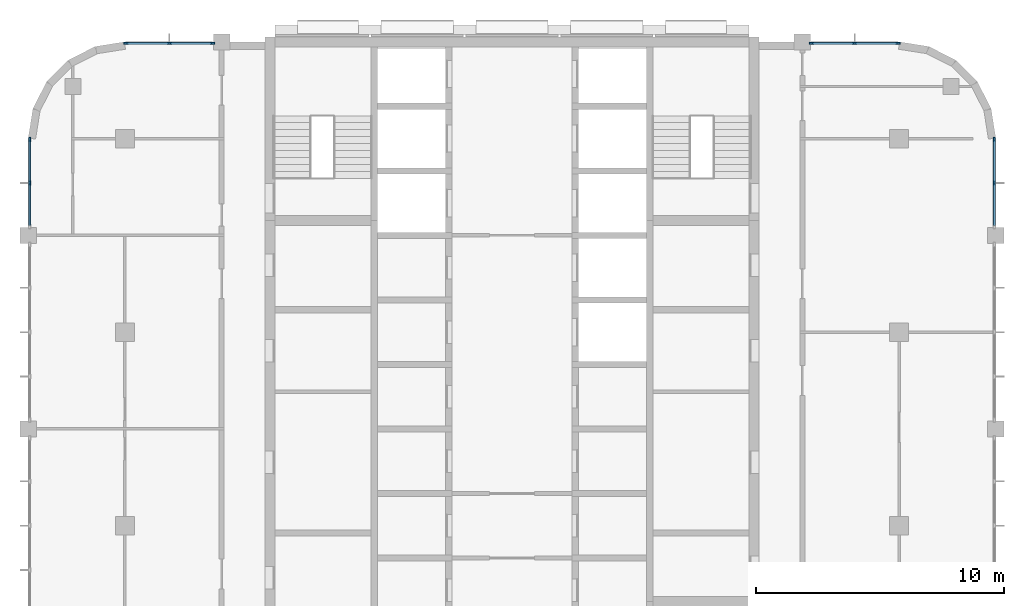
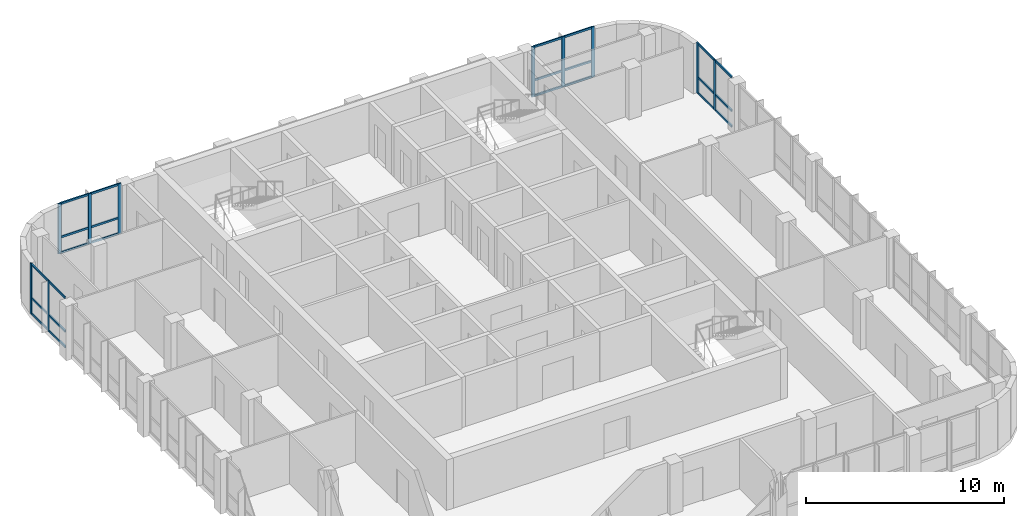
# One storey, part 6 of 17: 34 members, 4 elements without a shape of their own.
"""IFC4 building model written with IfcOpenShell, lengths in metres."""

from ifc_helpers import new_model, si_unit, direction, frame, origin, origin_2d, place, context, subcontext, project, spatial, rectangle, extrude, material, material_profile, profile_set, type_object, element, aggregate, save


model = new_model("IFC4")

# Units and contexts
model_context = context("Model", 3, precision=1e-05, world=origin(), true_north=direction((0.0, 1.0)))
body_context = subcontext(model_context, "Body", "Model", "MODEL_VIEW")
ifc_project = project(units=[si_unit("LENGTHUNIT", "METRE"), si_unit("AREAUNIT", "SQUARE_METRE"), si_unit("VOLUMEUNIT", "CUBIC_METRE"), si_unit("PLANEANGLEUNIT", "RADIAN"), si_unit("MASSUNIT", "GRAM", prefix="KILO")], contexts=[model_context])

# Site, building, storey
site_placement = place(None, origin())
site = spatial("IfcSite", under=ifc_project, at=site_placement, CompositionType="ELEMENT")
building_placement = place(site_placement, origin())
building = spatial("IfcBuilding", under=site, at=building_placement, Name="Ludao Terraces", CompositionType="ELEMENT")
storey_placement = place(building_placement, frame((0.0, 0.0, 263.0)))
storey = spatial("IfcBuildingStorey", under=building, at=storey_placement, Name="L72", CompositionType="ELEMENT", Elevation=263.0)

# Curtain wall, members
ifc_material_1 = material(Name="Aluminium curtain wall with fritted glass", Category="aluminium")
curtain_wall_type = type_object("IfcCurtainWallType", Name="ENV CW4 lounge glazing", PredefinedType="NOTDEFINED", material=ifc_material_1)
curtain_wall_1_placement = place(storey_placement, origin())
curtain_wall_1 = element("IfcCurtainWall", 1, at=curtain_wall_1_placement, inside=storey, type_object=curtain_wall_type, Name="Sky lounge glazing L72 E5", PredefinedType="NOTDEFINED")
ifc_material_2 = material(Name="Aluminium 6063-T6", Category="aluminium")
ifc_material_profile_1 = material_profile(ifc_material_2, rectangle(XDim=0.080078125, YDim=0.179931640625, at=origin_2d()), Name="80 X 180")
ifc_profile_set_1 = profile_set([ifc_material_profile_1], Name="Aluminium 6063-T6")
member_type_1 = type_object("IfcMemberType", Name="ENV CW4 mullion 80x180", PredefinedType="MULLION", material=ifc_profile_set_1)
member_1_placement = place(storey_placement, frame((104.43994140625, 78.8125, 0.0), z_axis=(0.0, 0.0, 1.0), x_axis=(-1.0, 0.0, 0.0)))
member_1 = element("IfcMember", 2, at=member_1_placement, type_object=member_type_1, Name="CW4 mullion 2", PredefinedType="MULLION", context=body_context, shape_type="SweptSolid", body=[
    extrude(rectangle(XDim=0.080078125, YDim=0.179931640625, at=origin_2d()), origin(), (0.0, 0.0, 1.0), 3.10009765625),
])
member_2_placement = place(storey_placement, frame((104.43994140625, 80.56005859375, 0.0), z_axis=(0.0, 0.0, 1.0), x_axis=(-1.0, 0.0, 0.0)))
member_2 = element("IfcMember", 3, at=member_2_placement, type_object=member_type_1, Name="CW4 mullion 3", PredefinedType="MULLION", context=body_context, shape_type="SweptSolid", body=[
    extrude(rectangle(XDim=0.080078125, YDim=0.179931640625, at=origin_2d()), origin(), (0.0, 0.0, 1.0), 3.10009765625),
])

curtain_wall_2_placement = place(storey_placement, origin())
curtain_wall_2 = element("IfcCurtainWall", 4, at=curtain_wall_2_placement, inside=storey, type_object=curtain_wall_type, Name="Sky lounge glazing L72 N1", PredefinedType="NOTDEFINED")
member_3_placement = place(storey_placement, frame((69.43994140625, 84.43994140625, 0.0), z_axis=(0.0, 0.0, 1.0), x_axis=(0.0, 1.0, 0.0)))
member_3 = element("IfcMember", 5, at=member_3_placement, type_object=member_type_1, Name="CW4 mullion 1", PredefinedType="MULLION", context=body_context, shape_type="SweptSolid", body=[
    extrude(rectangle(XDim=0.080078125, YDim=0.179931640625, at=origin_2d()), origin(), (0.0, 0.0, 1.0), 3.10009765625),
])
member_4_placement = place(storey_placement, frame((71.1875, 84.43994140625, 0.0), z_axis=(0.0, 0.0, 1.0), x_axis=(0.0, 1.0, 0.0)))
member_4 = element("IfcMember", 6, at=member_4_placement, type_object=member_type_1, Name="CW4 mullion 2", PredefinedType="MULLION", context=body_context, shape_type="SweptSolid", body=[
    extrude(rectangle(XDim=0.080078125, YDim=0.179931640625, at=origin_2d()), origin(), (0.0, 0.0, 1.0), 3.10009765625),
])
member_5_placement = place(storey_placement, frame((72.93505859375, 84.43994140625, 0.0), z_axis=(0.0, 0.0, 1.0), x_axis=(0.0, 1.0, 0.0)))
member_5 = element("IfcMember", 7, at=member_5_placement, type_object=member_type_1, Name="CW4 mullion 3", PredefinedType="MULLION", context=body_context, shape_type="SweptSolid", body=[
    extrude(rectangle(XDim=0.080078125, YDim=0.179931640625, at=origin_2d()), origin(), (0.0, 0.0, 1.0), 3.10009765625),
])

curtain_wall_3_placement = place(storey_placement, origin())
curtain_wall_3 = element("IfcCurtainWall", 8, at=curtain_wall_3_placement, inside=storey, type_object=curtain_wall_type, Name="Sky lounge glazing L72 N4", PredefinedType="NOTDEFINED")
member_6_placement = place(storey_placement, frame((97.06494140625, 84.43994140625, 0.0), z_axis=(0.0, 0.0, 1.0), x_axis=(0.0, 1.0, 0.0)))
member_6 = element("IfcMember", 9, at=member_6_placement, type_object=member_type_1, Name="CW4 mullion 1", PredefinedType="MULLION", context=body_context, shape_type="SweptSolid", body=[
    extrude(rectangle(XDim=0.080078125, YDim=0.179931640625, at=origin_2d()), origin(), (0.0, 0.0, 1.0), 3.10009765625),
])
member_7_placement = place(storey_placement, frame((98.8125, 84.43994140625, 0.0), z_axis=(0.0, 0.0, 1.0), x_axis=(0.0, 1.0, 0.0)))
member_7 = element("IfcMember", 10, at=member_7_placement, type_object=member_type_1, Name="CW4 mullion 2", PredefinedType="MULLION", context=body_context, shape_type="SweptSolid", body=[
    extrude(rectangle(XDim=0.080078125, YDim=0.179931640625, at=origin_2d()), origin(), (0.0, 0.0, 1.0), 3.10009765625),
])
member_8_placement = place(storey_placement, frame((100.56005859375, 84.43994140625, 0.0), z_axis=(0.0, 0.0, 1.0), x_axis=(0.0, 1.0, 0.0)))
member_8 = element("IfcMember", 11, at=member_8_placement, type_object=member_type_1, Name="CW4 mullion 3", PredefinedType="MULLION", context=body_context, shape_type="SweptSolid", body=[
    extrude(rectangle(XDim=0.080078125, YDim=0.179931640625, at=origin_2d()), origin(), (0.0, 0.0, 1.0), 3.10009765625),
])

curtain_wall_4_placement = place(storey_placement, origin())
curtain_wall_4 = element("IfcCurtainWall", 12, at=curtain_wall_4_placement, inside=storey, type_object=curtain_wall_type, Name="Sky lounge glazing L72 W5", PredefinedType="NOTDEFINED")
member_9_placement = place(storey_placement, frame((65.56005859375, 78.8125, 0.0), z_axis=(0.0, 0.0, 1.0), x_axis=(-1.0, 0.0, 0.0)))
member_9 = element("IfcMember", 13, at=member_9_placement, type_object=member_type_1, Name="CW4 mullion 2", PredefinedType="MULLION", context=body_context, shape_type="SweptSolid", body=[
    extrude(rectangle(XDim=0.080078125, YDim=0.179931640625, at=origin_2d()), origin(), (0.0, 0.0, 1.0), 3.10009765625),
])
member_10_placement = place(storey_placement, frame((65.56005859375, 80.56005859375, 0.0), z_axis=(0.0, 0.0, 1.0), x_axis=(-1.0, 0.0, 0.0)))
member_10 = element("IfcMember", 14, at=member_10_placement, type_object=member_type_1, Name="CW4 mullion 3", PredefinedType="MULLION", context=body_context, shape_type="SweptSolid", body=[
    extrude(rectangle(XDim=0.080078125, YDim=0.179931640625, at=origin_2d()), origin(), (0.0, 0.0, 1.0), 3.10009765625),
])

# Member
ifc_material_profile_2 = material_profile(ifc_material_2, rectangle(XDim=0.080078125, YDim=0.1201171875, at=origin_2d()), Name="80 X 120")
ifc_profile_set_2 = profile_set([ifc_material_profile_2], Name="Aluminium 6063-T6")
member_type_2 = type_object("IfcMemberType", Name="ENV CW4 transom 80x120", PredefinedType="USERDEFINED", material=ifc_profile_set_2)
member_11_placement = place(storey_placement, frame((104.43994140625, 77.10498046875, 0.0400390625), z_axis=(0.0, 1.0, 0.0), x_axis=(-1.0, 0.0, 0.0)))
member_11 = element("IfcMember", 15, at=member_11_placement, type_object=member_type_2, Name="CW4 transom 1.1", ObjectType="TRANSOM", PredefinedType="USERDEFINED", context=body_context, shape_type="SweptSolid", body=[
    extrude(rectangle(XDim=0.080078125, YDim=0.1201171875, at=origin_2d()), origin(), (0.0, 0.0, 1.0), 1.66748046875),
])

member_12_placement = place(storey_placement, frame((104.43994140625, 77.10498046875, 1.0), z_axis=(0.0, 1.0, 0.0), x_axis=(-1.0, 0.0, 0.0)))
member_12 = element("IfcMember", 16, at=member_12_placement, type_object=member_type_2, Name="CW4 transom 1.2", ObjectType="TRANSOM", PredefinedType="USERDEFINED", context=body_context, shape_type="SweptSolid", body=[
    extrude(rectangle(XDim=0.080078125, YDim=0.1201171875, at=origin_2d()), origin(), (0.0, 0.0, 1.0), 1.66748046875),
])

member_13_placement = place(storey_placement, frame((104.43994140625, 77.10498046875, 3.06005859375), z_axis=(0.0, 1.0, 0.0), x_axis=(-1.0, 0.0, 0.0)))
member_13 = element("IfcMember", 17, at=member_13_placement, type_object=member_type_2, Name="CW4 transom 1.3", ObjectType="TRANSOM", PredefinedType="USERDEFINED", context=body_context, shape_type="SweptSolid", body=[
    extrude(rectangle(XDim=0.080078125, YDim=0.1201171875, at=origin_2d()), origin(), (0.0, 0.0, 1.0), 1.66748046875),
])

member_14_placement = place(storey_placement, frame((104.43994140625, 78.8525390625, 0.0400390625), z_axis=(0.0, 1.0, 0.0), x_axis=(-1.0, 0.0, 0.0)))
member_14 = element("IfcMember", 18, at=member_14_placement, type_object=member_type_2, Name="CW4 transom 2.1", ObjectType="TRANSOM", PredefinedType="USERDEFINED", context=body_context, shape_type="SweptSolid", body=[
    extrude(rectangle(XDim=0.080078125, YDim=0.1201171875, at=origin_2d()), origin(), (0.0, 0.0, 1.0), 1.66748046875),
])

member_15_placement = place(storey_placement, frame((104.43994140625, 78.8525390625, 1.0), z_axis=(0.0, 1.0, 0.0), x_axis=(-1.0, 0.0, 0.0)))
member_15 = element("IfcMember", 19, at=member_15_placement, type_object=member_type_2, Name="CW4 transom 2.2", ObjectType="TRANSOM", PredefinedType="USERDEFINED", context=body_context, shape_type="SweptSolid", body=[
    extrude(rectangle(XDim=0.080078125, YDim=0.1201171875, at=origin_2d()), origin(), (0.0, 0.0, 1.0), 1.66748046875),
])

member_16_placement = place(storey_placement, frame((104.43994140625, 78.8525390625, 3.06005859375), z_axis=(0.0, 1.0, 0.0), x_axis=(-1.0, 0.0, 0.0)))
member_16 = element("IfcMember", 20, at=member_16_placement, type_object=member_type_2, Name="CW4 transom 2.3", ObjectType="TRANSOM", PredefinedType="USERDEFINED", context=body_context, shape_type="SweptSolid", body=[
    extrude(rectangle(XDim=0.080078125, YDim=0.1201171875, at=origin_2d()), origin(), (0.0, 0.0, 1.0), 1.66748046875),
])

aggregate(curtain_wall_1, [member_1, member_2, member_11, member_12, member_13, member_14, member_15, member_16])

member_17_placement = place(storey_placement, frame((69.47998046875, 84.43994140625, 0.0400390625), z_axis=(1.0, 0.0, 0.0), x_axis=(0.0, 1.0, 0.0)))
member_17 = element("IfcMember", 21, at=member_17_placement, type_object=member_type_2, Name="CW4 transom 1.1", ObjectType="TRANSOM", PredefinedType="USERDEFINED", context=body_context, shape_type="SweptSolid", body=[
    extrude(rectangle(XDim=0.080078125, YDim=0.1201171875, at=origin_2d()), origin(), (0.0, 0.0, 1.0), 1.66748046875),
])

member_18_placement = place(storey_placement, frame((69.47998046875, 84.43994140625, 1.0), z_axis=(1.0, 0.0, 0.0), x_axis=(0.0, 1.0, 0.0)))
member_18 = element("IfcMember", 22, at=member_18_placement, type_object=member_type_2, Name="CW4 transom 1.2", ObjectType="TRANSOM", PredefinedType="USERDEFINED", context=body_context, shape_type="SweptSolid", body=[
    extrude(rectangle(XDim=0.080078125, YDim=0.1201171875, at=origin_2d()), origin(), (0.0, 0.0, 1.0), 1.66748046875),
])

member_19_placement = place(storey_placement, frame((69.47998046875, 84.43994140625, 3.06005859375), z_axis=(1.0, 0.0, 0.0), x_axis=(0.0, 1.0, 0.0)))
member_19 = element("IfcMember", 23, at=member_19_placement, type_object=member_type_2, Name="CW4 transom 1.3", ObjectType="TRANSOM", PredefinedType="USERDEFINED", context=body_context, shape_type="SweptSolid", body=[
    extrude(rectangle(XDim=0.080078125, YDim=0.1201171875, at=origin_2d()), origin(), (0.0, 0.0, 1.0), 1.66748046875),
])

member_20_placement = place(storey_placement, frame((71.2275390625, 84.43994140625, 0.0400390625), z_axis=(1.0, 0.0, 0.0), x_axis=(0.0, 1.0, 0.0)))
member_20 = element("IfcMember", 24, at=member_20_placement, type_object=member_type_2, Name="CW4 transom 2.1", ObjectType="TRANSOM", PredefinedType="USERDEFINED", context=body_context, shape_type="SweptSolid", body=[
    extrude(rectangle(XDim=0.080078125, YDim=0.1201171875, at=origin_2d()), origin(), (0.0, 0.0, 1.0), 1.66748046875),
])

member_21_placement = place(storey_placement, frame((71.2275390625, 84.43994140625, 1.0), z_axis=(1.0, 0.0, 0.0), x_axis=(0.0, 1.0, 0.0)))
member_21 = element("IfcMember", 25, at=member_21_placement, type_object=member_type_2, Name="CW4 transom 2.2", ObjectType="TRANSOM", PredefinedType="USERDEFINED", context=body_context, shape_type="SweptSolid", body=[
    extrude(rectangle(XDim=0.080078125, YDim=0.1201171875, at=origin_2d()), origin(), (0.0, 0.0, 1.0), 1.66748046875),
])

member_22_placement = place(storey_placement, frame((71.2275390625, 84.43994140625, 3.06005859375), z_axis=(1.0, 0.0, 0.0), x_axis=(0.0, 1.0, 0.0)))
member_22 = element("IfcMember", 26, at=member_22_placement, type_object=member_type_2, Name="CW4 transom 2.3", ObjectType="TRANSOM", PredefinedType="USERDEFINED", context=body_context, shape_type="SweptSolid", body=[
    extrude(rectangle(XDim=0.080078125, YDim=0.1201171875, at=origin_2d()), origin(), (0.0, 0.0, 1.0), 1.66748046875),
])

aggregate(curtain_wall_2, [member_3, member_4, member_5, member_17, member_18, member_19, member_20, member_21, member_22])

member_23_placement = place(storey_placement, frame((97.10498046875, 84.43994140625, 0.0400390625), z_axis=(1.0, 0.0, 0.0), x_axis=(0.0, 1.0, 0.0)))
member_23 = element("IfcMember", 27, at=member_23_placement, type_object=member_type_2, Name="CW4 transom 1.1", ObjectType="TRANSOM", PredefinedType="USERDEFINED", context=body_context, shape_type="SweptSolid", body=[
    extrude(rectangle(XDim=0.080078125, YDim=0.1201171875, at=origin_2d()), origin(), (0.0, 0.0, 1.0), 1.66748046875),
])

member_24_placement = place(storey_placement, frame((97.10498046875, 84.43994140625, 1.0), z_axis=(1.0, 0.0, 0.0), x_axis=(0.0, 1.0, 0.0)))
member_24 = element("IfcMember", 28, at=member_24_placement, type_object=member_type_2, Name="CW4 transom 1.2", ObjectType="TRANSOM", PredefinedType="USERDEFINED", context=body_context, shape_type="SweptSolid", body=[
    extrude(rectangle(XDim=0.080078125, YDim=0.1201171875, at=origin_2d()), origin(), (0.0, 0.0, 1.0), 1.66748046875),
])

member_25_placement = place(storey_placement, frame((97.10498046875, 84.43994140625, 3.06005859375), z_axis=(1.0, 0.0, 0.0), x_axis=(0.0, 1.0, 0.0)))
member_25 = element("IfcMember", 29, at=member_25_placement, type_object=member_type_2, Name="CW4 transom 1.3", ObjectType="TRANSOM", PredefinedType="USERDEFINED", context=body_context, shape_type="SweptSolid", body=[
    extrude(rectangle(XDim=0.080078125, YDim=0.1201171875, at=origin_2d()), origin(), (0.0, 0.0, 1.0), 1.66748046875),
])

member_26_placement = place(storey_placement, frame((98.8525390625, 84.43994140625, 0.0400390625), z_axis=(1.0, 0.0, 0.0), x_axis=(0.0, 1.0, 0.0)))
member_26 = element("IfcMember", 30, at=member_26_placement, type_object=member_type_2, Name="CW4 transom 2.1", ObjectType="TRANSOM", PredefinedType="USERDEFINED", context=body_context, shape_type="SweptSolid", body=[
    extrude(rectangle(XDim=0.080078125, YDim=0.1201171875, at=origin_2d()), origin(), (0.0, 0.0, 1.0), 1.66748046875),
])

member_27_placement = place(storey_placement, frame((98.8525390625, 84.43994140625, 1.0), z_axis=(1.0, 0.0, 0.0), x_axis=(0.0, 1.0, 0.0)))
member_27 = element("IfcMember", 31, at=member_27_placement, type_object=member_type_2, Name="CW4 transom 2.2", ObjectType="TRANSOM", PredefinedType="USERDEFINED", context=body_context, shape_type="SweptSolid", body=[
    extrude(rectangle(XDim=0.080078125, YDim=0.1201171875, at=origin_2d()), origin(), (0.0, 0.0, 1.0), 1.66748046875),
])

member_28_placement = place(storey_placement, frame((98.8525390625, 84.43994140625, 3.06005859375), z_axis=(1.0, 0.0, 0.0), x_axis=(0.0, 1.0, 0.0)))
member_28 = element("IfcMember", 32, at=member_28_placement, type_object=member_type_2, Name="CW4 transom 2.3", ObjectType="TRANSOM", PredefinedType="USERDEFINED", context=body_context, shape_type="SweptSolid", body=[
    extrude(rectangle(XDim=0.080078125, YDim=0.1201171875, at=origin_2d()), origin(), (0.0, 0.0, 1.0), 1.66748046875),
])

aggregate(curtain_wall_3, [member_6, member_7, member_8, member_23, member_24, member_25, member_26, member_27, member_28])

member_29_placement = place(storey_placement, frame((65.56005859375, 77.10498046875, 0.0400390625), z_axis=(0.0, 1.0, 0.0), x_axis=(-1.0, 0.0, 0.0)))
member_29 = element("IfcMember", 33, at=member_29_placement, type_object=member_type_2, Name="CW4 transom 1.1", ObjectType="TRANSOM", PredefinedType="USERDEFINED", context=body_context, shape_type="SweptSolid", body=[
    extrude(rectangle(XDim=0.080078125, YDim=0.1201171875, at=origin_2d()), origin(), (0.0, 0.0, 1.0), 1.66748046875),
])

member_30_placement = place(storey_placement, frame((65.56005859375, 77.10498046875, 1.0), z_axis=(0.0, 1.0, 0.0), x_axis=(-1.0, 0.0, 0.0)))
member_30 = element("IfcMember", 34, at=member_30_placement, type_object=member_type_2, Name="CW4 transom 1.2", ObjectType="TRANSOM", PredefinedType="USERDEFINED", context=body_context, shape_type="SweptSolid", body=[
    extrude(rectangle(XDim=0.080078125, YDim=0.1201171875, at=origin_2d()), origin(), (0.0, 0.0, 1.0), 1.66748046875),
])

member_31_placement = place(storey_placement, frame((65.56005859375, 77.10498046875, 3.06005859375), z_axis=(0.0, 1.0, 0.0), x_axis=(-1.0, 0.0, 0.0)))
member_31 = element("IfcMember", 35, at=member_31_placement, type_object=member_type_2, Name="CW4 transom 1.3", ObjectType="TRANSOM", PredefinedType="USERDEFINED", context=body_context, shape_type="SweptSolid", body=[
    extrude(rectangle(XDim=0.080078125, YDim=0.1201171875, at=origin_2d()), origin(), (0.0, 0.0, 1.0), 1.66748046875),
])

member_32_placement = place(storey_placement, frame((65.56005859375, 78.8525390625, 0.0400390625), z_axis=(0.0, 1.0, 0.0), x_axis=(-1.0, 0.0, 0.0)))
member_32 = element("IfcMember", 36, at=member_32_placement, type_object=member_type_2, Name="CW4 transom 2.1", ObjectType="TRANSOM", PredefinedType="USERDEFINED", context=body_context, shape_type="SweptSolid", body=[
    extrude(rectangle(XDim=0.080078125, YDim=0.1201171875, at=origin_2d()), origin(), (0.0, 0.0, 1.0), 1.66748046875),
])

member_33_placement = place(storey_placement, frame((65.56005859375, 78.8525390625, 1.0), z_axis=(0.0, 1.0, 0.0), x_axis=(-1.0, 0.0, 0.0)))
member_33 = element("IfcMember", 37, at=member_33_placement, type_object=member_type_2, Name="CW4 transom 2.2", ObjectType="TRANSOM", PredefinedType="USERDEFINED", context=body_context, shape_type="SweptSolid", body=[
    extrude(rectangle(XDim=0.080078125, YDim=0.1201171875, at=origin_2d()), origin(), (0.0, 0.0, 1.0), 1.66748046875),
])

member_34_placement = place(storey_placement, frame((65.56005859375, 78.8525390625, 3.06005859375), z_axis=(0.0, 1.0, 0.0), x_axis=(-1.0, 0.0, 0.0)))
member_34 = element("IfcMember", 38, at=member_34_placement, type_object=member_type_2, Name="CW4 transom 2.3", ObjectType="TRANSOM", PredefinedType="USERDEFINED", context=body_context, shape_type="SweptSolid", body=[
    extrude(rectangle(XDim=0.080078125, YDim=0.1201171875, at=origin_2d()), origin(), (0.0, 0.0, 1.0), 1.66748046875),
])

aggregate(curtain_wall_4, [member_9, member_10, member_29, member_30, member_31, member_32, member_33, member_34])

save(model, "model.ifc")
